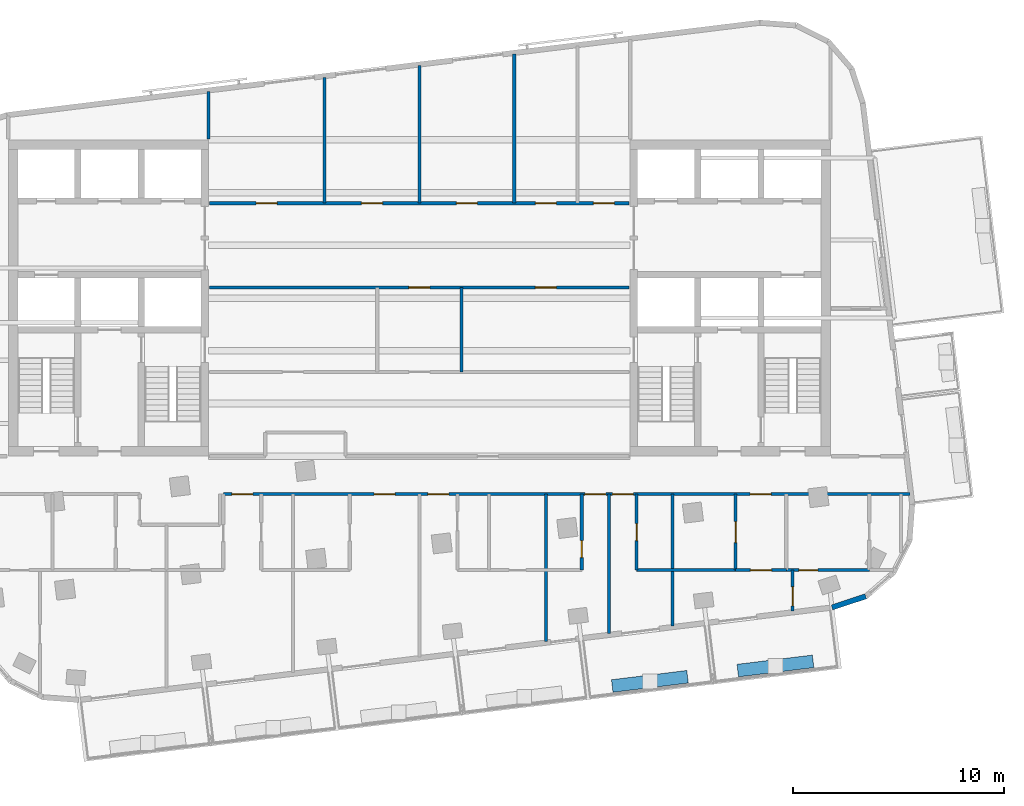
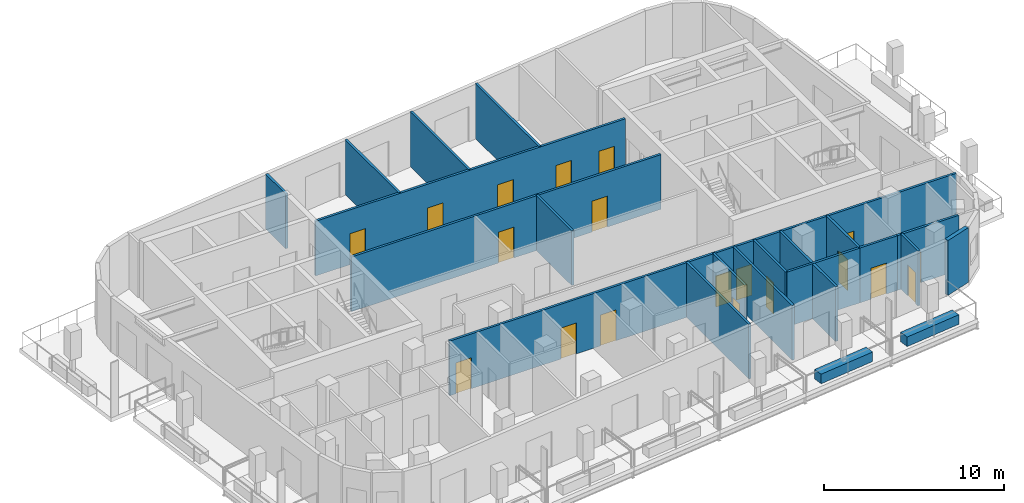
# One storey, part 5 of 11: 21 walls, 19 doors, 19 openings.
"""IFC4 building model written with IfcOpenShell, lengths in metres."""

from ifc_helpers import new_model, si_unit, direction, frame, frame_2d, origin, place, context, subcontext, project, spatial, rectangle, extrude, material, layer, layer_set, type_object, element, fill, save


model = new_model("IFC4")

# Units and contexts
model_context = context("Model", 3, precision=1e-05, world=origin(), true_north=direction((0.0, 1.0)))
body_context = subcontext(model_context, "Body", "Model", "MODEL_VIEW")
ifc_project = project(units=[si_unit("LENGTHUNIT", "METRE"), si_unit("AREAUNIT", "SQUARE_METRE"), si_unit("VOLUMEUNIT", "CUBIC_METRE"), si_unit("PLANEANGLEUNIT", "RADIAN"), si_unit("MASSUNIT", "GRAM", prefix="KILO")], contexts=[model_context])

# Site, building, storey
site_placement = place(None, origin())
site = spatial("IfcSite", under=ifc_project, at=site_placement, CompositionType="ELEMENT")
building_placement = place(site_placement, origin())
building = spatial("IfcBuilding", under=site, at=building_placement, Name="Torana Hotel and Residences", CompositionType="ELEMENT")
storey_placement = place(building_placement, frame((0.0, 0.0, 322.60009765625)))
storey = spatial("IfcBuildingStorey", under=building, at=storey_placement, Name="L85", CompositionType="ELEMENT", Elevation=322.60009765625)

# Wall
ifc_material_1 = material(Name="Black aluminium composite panel", Category="aluminium")
ifc_layer_1 = layer(ifc_material_1, 0.00390625, Name="Cladding", Category="cladding")
ifc_material_2 = material(Name="Ventilated air cavity")
ifc_layer_2 = layer(ifc_material_2, 0.0400390625, Name="Ventilated cavity", Category="cavity")
ifc_material_3 = material(Name="Mineral wool insulation")
ifc_layer_3 = layer(ifc_material_3, 0.090087890625, Name="Insulation", Category="insulation")
ifc_material_4 = material(Name="Steel S280GD", Category="steel")
ifc_layer_4 = layer(ifc_material_4, 0.092041015625, Name="Steel stud frame", Category="structure")
ifc_material_5 = material(Name="Fire rated plasterboard")
ifc_layer_5 = layer(ifc_material_5, 0.011962890625, Name="Inner board", Category="finish")
ifc_layer_6 = layer(ifc_material_5, 0.011962890625, Name="Second board", Category="finish")
ifc_layer_set_1 = layer_set([ifc_layer_1, ifc_layer_2, ifc_layer_3, ifc_layer_4, ifc_layer_5, ifc_layer_6], Name="EW1 EXTERNAL WALL BLACK METAL CLAD 250")
wall_type_1 = type_object("IfcWallType", Name="EW1 EXTERNAL WALL BLACK METAL CLAD 250", PredefinedType="SOLIDWALL", material=ifc_layer_set_1)
wall_1_placement = place(storey_placement, frame((19.568359375, -22.1748046875, 0.0), z_axis=(0.0, 0.0, 1.0), x_axis=(0.949694735798, 0.313177120489, 0.0)))
element("IfcWall", 1, at=wall_1_placement, inside=storey, type_object=wall_type_1, Name="External wall L85 e0.15", PredefinedType="SOLIDWALL", context=body_context, shape_type="SweptSolid", body=[
    extrude(rectangle(XDim=1.681396484375, YDim=0.25, at=frame_2d((0.8408203125, 0.0))), origin(), (0.0, 0.0, 1.0), 3.719970703125),
])

# Wall, opening, door
ifc_material_6 = material(Name="Gypsum plaster")
ifc_layer_7 = layer(ifc_material_6, 0.014892578125, Name="Plaster", Category="finish")
ifc_material_7 = material(Name="Concrete blockwork", Category="masonry")
ifc_layer_8 = layer(ifc_material_7, 0.1201171875, Name="Blockwork", Category="structure")
ifc_layer_9 = layer(ifc_material_6, 0.014892578125, Name="Plaster", Category="finish")
ifc_layer_set_2 = layer_set([ifc_layer_7, ifc_layer_8, ifc_layer_9], Name="FIRE PARTITION 150 BLOCKWORK")
wall_type_2 = type_object("IfcWallType", Name="FIRE PARTITION 150 BLOCKWORK", PredefinedType="PARTITIONING", material=ifc_layer_set_2)
wall_2_placement = place(storey_placement, frame((15.0, -20.39990234375, 0.0), z_axis=(0.0, 0.0, 1.0), x_axis=(0.0, 1.0, 0.0)))
wall_2 = element("IfcWall", 2, at=wall_2_placement, inside=storey, type_object=wall_type_2, Name="Partition L85", PredefinedType="PARTITIONING", context=body_context, shape_type="SweptSolid", body=[
    extrude(rectangle(XDim=3.599853515625, YDim=0.14990234375, at=frame_2d((1.7998046875, 0.0))), origin(), (0.0, 0.0, 1.0), 3.719970703125),
])
opening_1_placement = place(wall_2_placement, frame((1.300048828125, 0.0, 0.0)))
opening_1 = element("IfcOpeningElement", 3, at=opening_1_placement, cuts=wall_2, Name="Opening L85-48", PredefinedType="OPENING", context=body_context, shape_type="SweptSolid", body=[
    extrude(rectangle(XDim=1.0, YDim=2.10009765625, at=frame_2d((0.5, 1.050048828125))), frame((0.0, 0.0849609375, 0.0), z_axis=(0.0, -1.0, 0.0), x_axis=(1.0, 0.0, 0.0)), (0.0, 0.0, 1.0), 0.169921875),
])
ifc_material_8 = material(Name="Steel S235", Category="steel")
door_type_1 = type_object("IfcDoorType", Name="ENTRY FIRE DOOR D6 1000x2100", OperationType="SINGLE_SWING_LEFT", PredefinedType="DOOR", material=ifc_material_8)
door_1_placement = place(opening_1_placement, origin())
door_1 = element("IfcDoor", 4, at=door_1_placement, inside=storey, type_object=door_type_1, Name="Door L85", OperationType="SINGLE_SWING_RIGHT", OverallHeight=2.10009765625, OverallWidth=1.0, PredefinedType="DOOR", context=body_context, shape_type="SweptSolid", body=[
    extrude(rectangle(XDim=1.0, YDim=2.10009765625, at=frame_2d((0.5, 1.050048828125))), frame((0.0, 0.02490234375, 0.0), z_axis=(0.0, -1.0, 0.0), x_axis=(1.0, 0.0, 0.0)), (0.0, 0.0, 1.0), 0.050048828125),
])
fill(opening_1, door_1)

# Wall
wall_3_placement = place(storey_placement, frame((2.0, -11.0, 0.0), z_axis=(0.0, 0.0, 1.0), x_axis=(0.0, 1.0, 0.0)))
element("IfcWall", 5, at=wall_3_placement, inside=storey, type_object=wall_type_2, Name="Partition L85", PredefinedType="PARTITIONING", context=body_context, shape_type="SweptSolid", body=[
    extrude(rectangle(XDim=4.0, YDim=0.14990234375, at=frame_2d((2.0, 0.0))), origin(), (0.0, 0.0, 1.0), 3.719970703125),
])

# Wall, opening, door
wall_4_placement = place(storey_placement, frame((15.0, -20.39990234375, 0.0), z_axis=(0.0, 0.0, 1.0), x_axis=(1.0, 0.0, 0.0)))
wall_4 = element("IfcWall", 6, at=wall_4_placement, inside=storey, type_object=wall_type_2, Name="Partition L85", PredefinedType="PARTITIONING", context=body_context, shape_type="SweptSolid", body=[
    extrude(rectangle(XDim=2.39990234375, YDim=0.14990234375, at=frame_2d((1.199951171875, 0.0))), origin(), (0.0, 0.0, 1.0), 3.719970703125),
])
opening_2_placement = place(wall_4_placement, frame((0.699951171875, 0.0, 0.0)))
opening_2 = element("IfcOpeningElement", 7, at=opening_2_placement, cuts=wall_4, Name="Opening L85-49", PredefinedType="OPENING", context=body_context, shape_type="SweptSolid", body=[
    extrude(rectangle(XDim=1.0, YDim=2.10009765625, at=frame_2d((0.5, 1.050048828125))), frame((0.0, 0.0849609375, 0.0), z_axis=(0.0, -1.0, 0.0), x_axis=(1.0, 0.0, 0.0)), (0.0, 0.0, 1.0), 0.169921875),
])
door_2_placement = place(opening_2_placement, frame((0.5, 0.0, 0.0), z_axis=(0.0, 0.0, 1.0), x_axis=(-1.0, 0.0, 0.0)))
door_2 = element("IfcDoor", 8, at=door_2_placement, inside=storey, type_object=door_type_1, Name="Door L85", OperationType="SINGLE_SWING_RIGHT", OverallHeight=2.10009765625, OverallWidth=1.0, PredefinedType="DOOR", context=body_context, shape_type="SweptSolid", body=[
    extrude(rectangle(XDim=1.0, YDim=2.10009765625, at=frame_2d((0.0, 1.050048828125))), frame((0.0, -0.02490234375, 0.0), z_axis=(0.0, 1.0, 0.0), x_axis=(-1.0, 0.0, 0.0)), (0.0, 0.0, 1.0), 0.050048828125),
])
fill(opening_2, door_2)

# Wall, openings, doors
wall_5_placement = place(storey_placement, frame((-9.300048828125, -16.800048828125, 0.0), z_axis=(0.0, 0.0, 1.0), x_axis=(1.0, 0.0, 0.0)))
wall_5 = element("IfcWall", 9, at=wall_5_placement, inside=storey, type_object=wall_type_2, Name="Partition L85", PredefinedType="PARTITIONING", context=body_context, shape_type="SweptSolid", body=[
    extrude(rectangle(XDim=32.56103515625, YDim=0.14990234375, at=frame_2d((16.280517578125, 0.0))), origin(), (0.0, 0.0, 1.0), 3.719970703125),
])
opening_3_placement = place(wall_5_placement, frame((0.39990234375, 0.0, 0.0)))
opening_3 = element("IfcOpeningElement", 10, at=opening_3_placement, cuts=wall_5, Name="Opening L85-18", PredefinedType="OPENING", context=body_context, shape_type="SweptSolid", body=[
    extrude(rectangle(XDim=1.0, YDim=2.10009765625, at=frame_2d((0.5, 1.050048828125))), frame((0.0, 0.0849609375, 0.0), z_axis=(0.0, -1.0, 0.0), x_axis=(1.0, 0.0, 0.0)), (0.0, 0.0, 1.0), 0.169921875),
])
opening_4_placement = place(wall_5_placement, frame((7.14990234375, 0.0, 0.0)))
opening_4 = element("IfcOpeningElement", 11, at=opening_4_placement, cuts=wall_5, Name="Opening L85-19", PredefinedType="OPENING", context=body_context, shape_type="SweptSolid", body=[
    extrude(rectangle(XDim=1.0, YDim=2.10009765625, at=frame_2d((0.5, 1.050048828125))), frame((0.0, 0.0849609375, 0.0), z_axis=(0.0, -1.0, 0.0), x_axis=(1.0, 0.0, 0.0)), (0.0, 0.0, 1.0), 0.169921875),
])
opening_5_placement = place(wall_5_placement, frame((9.699951171875, 0.0, 0.0)))
opening_5 = element("IfcOpeningElement", 12, at=opening_5_placement, cuts=wall_5, Name="Opening L85-20", PredefinedType="OPENING", context=body_context, shape_type="SweptSolid", body=[
    extrude(rectangle(XDim=1.0, YDim=2.10009765625, at=frame_2d((0.5, 1.050048828125))), frame((0.0, 0.0849609375, 0.0), z_axis=(0.0, -1.0, 0.0), x_axis=(1.0, 0.0, 0.0)), (0.0, 0.0, 1.0), 0.169921875),
])
opening_6_placement = place(wall_5_placement, frame((17.14892578125, 0.0, 0.0)))
opening_6 = element("IfcOpeningElement", 13, at=opening_6_placement, cuts=wall_5, Name="Opening L85-21", PredefinedType="OPENING", context=body_context, shape_type="SweptSolid", body=[
    extrude(rectangle(XDim=1.0, YDim=2.10009765625, at=frame_2d((0.5, 1.050048828125))), frame((0.0, 0.0849609375, 0.0), z_axis=(0.0, -1.0, 0.0), x_axis=(1.0, 0.0, 0.0)), (0.0, 0.0, 1.0), 0.169921875),
])
opening_7_placement = place(wall_5_placement, frame((18.449951171875, 0.0, 0.0)))
opening_7 = element("IfcOpeningElement", 14, at=opening_7_placement, cuts=wall_5, Name="Opening L85-22", PredefinedType="OPENING", context=body_context, shape_type="SweptSolid", body=[
    extrude(rectangle(XDim=1.0, YDim=2.10009765625, at=frame_2d((0.5, 1.050048828125))), frame((0.0, 0.0849609375, 0.0), z_axis=(0.0, -1.0, 0.0), x_axis=(1.0, 0.0, 0.0)), (0.0, 0.0, 1.0), 0.169921875),
])
opening_8_placement = place(wall_5_placement, frame((24.97998046875, 0.0, 0.0)))
opening_8 = element("IfcOpeningElement", 15, at=opening_8_placement, cuts=wall_5, Name="Opening L85-24", PredefinedType="OPENING", context=body_context, shape_type="SweptSolid", body=[
    extrude(rectangle(XDim=1.0, YDim=2.10009765625, at=frame_2d((0.5, 1.050048828125))), frame((0.0, 0.0849609375, 0.0), z_axis=(0.0, -1.0, 0.0), x_axis=(1.0, 0.0, 0.0)), (0.0, 0.0, 1.0), 0.169921875),
])
door_3_placement = place(opening_3_placement, frame((0.5, 0.0, 0.0), z_axis=(0.0, 0.0, 1.0), x_axis=(-1.0, 0.0, 0.0)))
door_3 = element("IfcDoor", 16, at=door_3_placement, inside=storey, type_object=door_type_1, Name="Door L85", OperationType="SINGLE_SWING_LEFT", OverallHeight=2.10009765625, OverallWidth=1.0, PredefinedType="DOOR", context=body_context, shape_type="SweptSolid", body=[
    extrude(rectangle(XDim=1.0, YDim=2.10009765625, at=frame_2d((0.0, 1.050048828125))), frame((0.0, -0.02490234375, 0.0), z_axis=(0.0, 1.0, 0.0), x_axis=(-1.0, 0.0, 0.0)), (0.0, 0.0, 1.0), 0.050048828125),
])
fill(opening_3, door_3)
door_4_placement = place(opening_4_placement, frame((0.5, 0.0, 0.0), z_axis=(0.0, 0.0, 1.0), x_axis=(-1.0, 0.0, 0.0)))
door_4 = element("IfcDoor", 17, at=door_4_placement, inside=storey, type_object=door_type_1, Name="Door L85", OperationType="SINGLE_SWING_LEFT", OverallHeight=2.10009765625, OverallWidth=1.0, PredefinedType="DOOR", context=body_context, shape_type="SweptSolid", body=[
    extrude(rectangle(XDim=1.0, YDim=2.10009765625, at=frame_2d((0.0, 1.050048828125))), frame((0.0, -0.02490234375, 0.0), z_axis=(0.0, 1.0, 0.0), x_axis=(-1.0, 0.0, 0.0)), (0.0, 0.0, 1.0), 0.050048828125),
])
fill(opening_4, door_4)
door_5_placement = place(opening_5_placement, frame((0.5, 0.0, 0.0), z_axis=(0.0, 0.0, 1.0), x_axis=(-1.0, 0.0, 0.0)))
door_5 = element("IfcDoor", 18, at=door_5_placement, inside=storey, type_object=door_type_1, Name="Door L85", OperationType="SINGLE_SWING_LEFT", OverallHeight=2.10009765625, OverallWidth=1.0, PredefinedType="DOOR", context=body_context, shape_type="SweptSolid", body=[
    extrude(rectangle(XDim=1.0, YDim=2.10009765625, at=frame_2d((0.0, 1.050048828125))), frame((0.0, -0.02490234375, 0.0), z_axis=(0.0, 1.0, 0.0), x_axis=(-1.0, 0.0, 0.0)), (0.0, 0.0, 1.0), 0.050048828125),
])
fill(opening_5, door_5)
door_6_placement = place(opening_6_placement, frame((0.5, 0.0, 0.0), z_axis=(0.0, 0.0, 1.0), x_axis=(-1.0, 0.0, 0.0)))
door_6 = element("IfcDoor", 19, at=door_6_placement, inside=storey, type_object=door_type_1, Name="Door L85", OperationType="SINGLE_SWING_LEFT", OverallHeight=2.10009765625, OverallWidth=1.0, PredefinedType="DOOR", context=body_context, shape_type="SweptSolid", body=[
    extrude(rectangle(XDim=1.0, YDim=2.10009765625, at=frame_2d((0.0, 1.050048828125))), frame((0.0, -0.02490234375, 0.0), z_axis=(0.0, 1.0, 0.0), x_axis=(-1.0, 0.0, 0.0)), (0.0, 0.0, 1.0), 0.050048828125),
])
fill(opening_6, door_6)
door_7_placement = place(opening_7_placement, frame((0.5, 0.0, 0.0), z_axis=(0.0, 0.0, 1.0), x_axis=(-1.0, 0.0, 0.0)))
door_7 = element("IfcDoor", 20, at=door_7_placement, inside=storey, type_object=door_type_1, Name="Door L85", OperationType="SINGLE_SWING_LEFT", OverallHeight=2.10009765625, OverallWidth=1.0, PredefinedType="DOOR", context=body_context, shape_type="SweptSolid", body=[
    extrude(rectangle(XDim=1.0, YDim=2.10009765625, at=frame_2d((0.0, 1.050048828125))), frame((0.0, -0.02490234375, 0.0), z_axis=(0.0, 1.0, 0.0), x_axis=(-1.0, 0.0, 0.0)), (0.0, 0.0, 1.0), 0.050048828125),
])
fill(opening_7, door_7)
door_8_placement = place(opening_8_placement, origin())
door_8 = element("IfcDoor", 21, at=door_8_placement, inside=storey, type_object=door_type_1, Name="Door L85", OperationType="SINGLE_SWING_RIGHT", OverallHeight=2.10009765625, OverallWidth=1.0, PredefinedType="DOOR", context=body_context, shape_type="SweptSolid", body=[
    extrude(rectangle(XDim=1.0, YDim=2.10009765625, at=frame_2d((0.5, 1.050048828125))), frame((0.0, 0.02490234375, 0.0), z_axis=(0.0, -1.0, 0.0), x_axis=(1.0, 0.0, 0.0)), (0.0, 0.0, 1.0), 0.050048828125),
])
fill(opening_8, door_8)

wall_6_placement = place(storey_placement, frame((-9.949951171875, -7.0, 0.0), z_axis=(0.0, 0.0, 1.0), x_axis=(1.0, 0.0, 0.0)))
wall_6 = element("IfcWall", 22, at=wall_6_placement, inside=storey, type_object=wall_type_2, Name="Partition L85", PredefinedType="PARTITIONING", context=body_context, shape_type="SweptSolid", body=[
    extrude(rectangle(XDim=19.89990234375, YDim=0.14990234375, at=frame_2d((9.949951171875, 0.0))), origin(), (0.0, 0.0, 1.0), 3.719970703125),
])
opening_9_placement = place(wall_6_placement, frame((9.449951171875, 0.0, 0.0)))
opening_9 = element("IfcOpeningElement", 23, at=opening_9_placement, cuts=wall_6, Name="Opening L85-29", PredefinedType="OPENING", context=body_context, shape_type="SweptSolid", body=[
    extrude(rectangle(XDim=1.0, YDim=2.10009765625, at=frame_2d((0.5, 1.050048828125))), frame((0.0, 0.0849609375, 0.0), z_axis=(0.0, -1.0, 0.0), x_axis=(1.0, 0.0, 0.0)), (0.0, 0.0, 1.0), 0.169921875),
])
opening_10_placement = place(wall_6_placement, frame((15.449951171875, 0.0, 0.0)))
opening_10 = element("IfcOpeningElement", 24, at=opening_10_placement, cuts=wall_6, Name="Opening L85-30", PredefinedType="OPENING", context=body_context, shape_type="SweptSolid", body=[
    extrude(rectangle(XDim=1.0, YDim=2.10009765625, at=frame_2d((0.5, 1.050048828125))), frame((0.0, 0.0849609375, 0.0), z_axis=(0.0, -1.0, 0.0), x_axis=(1.0, 0.0, 0.0)), (0.0, 0.0, 1.0), 0.169921875),
])
door_9_placement = place(opening_9_placement, origin())
door_9 = element("IfcDoor", 25, at=door_9_placement, inside=storey, type_object=door_type_1, Name="Door L85", OperationType="SINGLE_SWING_RIGHT", OverallHeight=2.10009765625, OverallWidth=1.0, PredefinedType="DOOR", context=body_context, shape_type="SweptSolid", body=[
    extrude(rectangle(XDim=1.0, YDim=2.10009765625, at=frame_2d((0.5, 1.050048828125))), frame((0.0, 0.02490234375, 0.0), z_axis=(0.0, -1.0, 0.0), x_axis=(1.0, 0.0, 0.0)), (0.0, 0.0, 1.0), 0.050048828125),
])
fill(opening_9, door_9)
door_10_placement = place(opening_10_placement, frame((0.5, 0.0, 0.0), z_axis=(0.0, 0.0, 1.0), x_axis=(-1.0, 0.0, 0.0)))
door_10 = element("IfcDoor", 26, at=door_10_placement, inside=storey, type_object=door_type_1, Name="Door L85", OperationType="SINGLE_SWING_LEFT", OverallHeight=2.10009765625, OverallWidth=1.0, PredefinedType="DOOR", context=body_context, shape_type="SweptSolid", body=[
    extrude(rectangle(XDim=1.0, YDim=2.10009765625, at=frame_2d((0.0, 1.050048828125))), frame((0.0, -0.02490234375, 0.0), z_axis=(0.0, 1.0, 0.0), x_axis=(-1.0, 0.0, 0.0)), (0.0, 0.0, 1.0), 0.050048828125),
])
fill(opening_10, door_10)

wall_7_placement = place(storey_placement, frame((-9.949951171875, -3.0, 0.0), z_axis=(0.0, 0.0, 1.0), x_axis=(1.0, 0.0, 0.0)))
wall_7 = element("IfcWall", 27, at=wall_7_placement, inside=storey, type_object=wall_type_2, Name="Partition L85", PredefinedType="PARTITIONING", context=body_context, shape_type="SweptSolid", body=[
    extrude(rectangle(XDim=19.89990234375, YDim=0.14990234375, at=frame_2d((9.949951171875, 0.0))), origin(), (0.0, 0.0, 1.0), 3.719970703125),
])
opening_11_placement = place(wall_7_placement, frame((2.199951171875, 0.0, 0.0)))
opening_11 = element("IfcOpeningElement", 28, at=opening_11_placement, cuts=wall_7, Name="Opening L85-31", PredefinedType="OPENING", context=body_context, shape_type="SweptSolid", body=[
    extrude(rectangle(XDim=1.0, YDim=2.10009765625, at=frame_2d((0.5, 1.050048828125))), frame((0.0, 0.0849609375, 0.0), z_axis=(0.0, -1.0, 0.0), x_axis=(1.0, 0.0, 0.0)), (0.0, 0.0, 1.0), 0.169921875),
])
opening_12_placement = place(wall_7_placement, frame((7.199951171875, 0.0, 0.0)))
opening_12 = element("IfcOpeningElement", 29, at=opening_12_placement, cuts=wall_7, Name="Opening L85-32", PredefinedType="OPENING", context=body_context, shape_type="SweptSolid", body=[
    extrude(rectangle(XDim=1.0, YDim=2.10009765625, at=frame_2d((0.5, 1.050048828125))), frame((0.0, 0.0849609375, 0.0), z_axis=(0.0, -1.0, 0.0), x_axis=(1.0, 0.0, 0.0)), (0.0, 0.0, 1.0), 0.169921875),
])
opening_13_placement = place(wall_7_placement, frame((11.699951171875, 0.0, 0.0)))
opening_13 = element("IfcOpeningElement", 30, at=opening_13_placement, cuts=wall_7, Name="Opening L85-33", PredefinedType="OPENING", context=body_context, shape_type="SweptSolid", body=[
    extrude(rectangle(XDim=1.0, YDim=2.10009765625, at=frame_2d((0.5, 1.050048828125))), frame((0.0, 0.0849609375, 0.0), z_axis=(0.0, -1.0, 0.0), x_axis=(1.0, 0.0, 0.0)), (0.0, 0.0, 1.0), 0.169921875),
])
opening_14_placement = place(wall_7_placement, frame((15.449951171875, 0.0, 0.0)))
opening_14 = element("IfcOpeningElement", 31, at=opening_14_placement, cuts=wall_7, Name="Opening L85-34", PredefinedType="OPENING", context=body_context, shape_type="SweptSolid", body=[
    extrude(rectangle(XDim=1.0, YDim=2.10009765625, at=frame_2d((0.5, 1.050048828125))), frame((0.0, 0.0849609375, 0.0), z_axis=(0.0, -1.0, 0.0), x_axis=(1.0, 0.0, 0.0)), (0.0, 0.0, 1.0), 0.169921875),
])
opening_15_placement = place(wall_7_placement, frame((18.199951171875, 0.0, 0.0)))
opening_15 = element("IfcOpeningElement", 32, at=opening_15_placement, cuts=wall_7, Name="Opening L85-35", PredefinedType="OPENING", context=body_context, shape_type="SweptSolid", body=[
    extrude(rectangle(XDim=1.0, YDim=2.10009765625, at=frame_2d((0.5, 1.050048828125))), frame((0.0, 0.0849609375, 0.0), z_axis=(0.0, -1.0, 0.0), x_axis=(1.0, 0.0, 0.0)), (0.0, 0.0, 1.0), 0.169921875),
])
door_11_placement = place(opening_11_placement, origin())
door_11 = element("IfcDoor", 33, at=door_11_placement, inside=storey, type_object=door_type_1, Name="Door L85", OperationType="SINGLE_SWING_RIGHT", OverallHeight=2.10009765625, OverallWidth=1.0, PredefinedType="DOOR", context=body_context, shape_type="SweptSolid", body=[
    extrude(rectangle(XDim=1.0, YDim=2.10009765625, at=frame_2d((0.5, 1.050048828125))), frame((0.0, 0.02490234375, 0.0), z_axis=(0.0, -1.0, 0.0), x_axis=(1.0, 0.0, 0.0)), (0.0, 0.0, 1.0), 0.050048828125),
])
fill(opening_11, door_11)
door_12_placement = place(opening_12_placement, origin())
door_12 = element("IfcDoor", 34, at=door_12_placement, inside=storey, type_object=door_type_1, Name="Door L85", OperationType="SINGLE_SWING_RIGHT", OverallHeight=2.10009765625, OverallWidth=1.0, PredefinedType="DOOR", context=body_context, shape_type="SweptSolid", body=[
    extrude(rectangle(XDim=1.0, YDim=2.10009765625, at=frame_2d((0.5, 1.050048828125))), frame((0.0, 0.02490234375, 0.0), z_axis=(0.0, -1.0, 0.0), x_axis=(1.0, 0.0, 0.0)), (0.0, 0.0, 1.0), 0.050048828125),
])
fill(opening_12, door_12)
door_13_placement = place(opening_13_placement, origin())
door_13 = element("IfcDoor", 35, at=door_13_placement, inside=storey, type_object=door_type_1, Name="Door L85", OperationType="SINGLE_SWING_RIGHT", OverallHeight=2.10009765625, OverallWidth=1.0, PredefinedType="DOOR", context=body_context, shape_type="SweptSolid", body=[
    extrude(rectangle(XDim=1.0, YDim=2.10009765625, at=frame_2d((0.5, 1.050048828125))), frame((0.0, 0.02490234375, 0.0), z_axis=(0.0, -1.0, 0.0), x_axis=(1.0, 0.0, 0.0)), (0.0, 0.0, 1.0), 0.050048828125),
])
fill(opening_13, door_13)
door_14_placement = place(opening_14_placement, origin())
door_14 = element("IfcDoor", 36, at=door_14_placement, inside=storey, type_object=door_type_1, Name="Door L85", OperationType="SINGLE_SWING_RIGHT", OverallHeight=2.10009765625, OverallWidth=1.0, PredefinedType="DOOR", context=body_context, shape_type="SweptSolid", body=[
    extrude(rectangle(XDim=1.0, YDim=2.10009765625, at=frame_2d((0.5, 1.050048828125))), frame((0.0, 0.02490234375, 0.0), z_axis=(0.0, -1.0, 0.0), x_axis=(1.0, 0.0, 0.0)), (0.0, 0.0, 1.0), 0.050048828125),
])
fill(opening_14, door_14)
door_15_placement = place(opening_15_placement, origin())
door_15 = element("IfcDoor", 37, at=door_15_placement, inside=storey, type_object=door_type_1, Name="Door L85", OperationType="SINGLE_SWING_RIGHT", OverallHeight=2.10009765625, OverallWidth=1.0, PredefinedType="DOOR", context=body_context, shape_type="SweptSolid", body=[
    extrude(rectangle(XDim=1.0, YDim=2.10009765625, at=frame_2d((0.5, 1.050048828125))), frame((0.0, 0.02490234375, 0.0), z_axis=(0.0, -1.0, 0.0), x_axis=(1.0, 0.0, 0.0)), (0.0, 0.0, 1.0), 0.050048828125),
])
fill(opening_15, door_15)

# Wall, opening, door
ifc_material_9 = material(Name="Gypsum plasterboard")
ifc_layer_10 = layer(ifc_material_9, 0.012451171875, Name="Plasterboard", Category="finish")
ifc_layer_11 = layer(ifc_material_9, 0.012451171875, Name="Plasterboard", Category="finish")
ifc_layer_12 = layer(ifc_material_4, 0.10009765625, Name="Steel studs with mineral wool", Category="insulation")
ifc_layer_13 = layer(ifc_material_9, 0.012451171875, Name="Plasterboard", Category="finish")
ifc_layer_14 = layer(ifc_material_9, 0.012451171875, Name="Plasterboard", Category="finish")
ifc_layer_set_3 = layer_set([ifc_layer_10, ifc_layer_11, ifc_layer_12, ifc_layer_13, ifc_layer_14], Name="PARTITION 150 PLASTERBOARD")
wall_type_3 = type_object("IfcWallType", Name="PARTITION 150 PLASTERBOARD", PredefinedType="PARTITIONING", material=ifc_layer_set_3)
wall_8_placement = place(storey_placement, frame((17.699951171875, -22.351318359375, 0.0), z_axis=(0.0, 0.0, 1.0), x_axis=(0.0, 1.0, 0.0)))
wall_8 = element("IfcWall", 38, at=wall_8_placement, inside=storey, type_object=wall_type_3, Name="Partition L85", PredefinedType="PARTITIONING", context=body_context, shape_type="SweptSolid", body=[
    extrude(rectangle(XDim=1.951416015625, YDim=0.14990234375, at=frame_2d((0.9755859375, 0.0))), origin(), (0.0, 0.0, 1.0), 3.719970703125),
])
opening_16_placement = place(wall_8_placement, frame((0.25, 0.0, 0.0)))
opening_16 = element("IfcOpeningElement", 39, at=opening_16_placement, cuts=wall_8, Name="Opening L85-52", PredefinedType="OPENING", context=body_context, shape_type="SweptSolid", body=[
    extrude(rectangle(XDim=0.89990234375, YDim=2.10009765625, at=frame_2d((0.449951171875, 1.050048828125))), frame((0.0, 0.0849609375, 0.0), z_axis=(0.0, -1.0, 0.0), x_axis=(1.0, 0.0, 0.0)), (0.0, 0.0, 1.0), 0.169921875),
])
ifc_material_10 = material(Name="Timber door, oiled ash", Category="wood")
door_type_2 = type_object("IfcDoorType", Name="ROOM DOOR D7 900x2100", OperationType="SINGLE_SWING_LEFT", PredefinedType="DOOR", material=ifc_material_10)
door_16_placement = place(opening_16_placement, origin())
door_16 = element("IfcDoor", 40, at=door_16_placement, inside=storey, type_object=door_type_2, Name="Door L85", OperationType="SINGLE_SWING_RIGHT", OverallHeight=2.10009765625, OverallWidth=0.89990234375, PredefinedType="DOOR", context=body_context, shape_type="SweptSolid", body=[
    extrude(rectangle(XDim=0.89990234375, YDim=2.10009765625, at=frame_2d((0.449951171875, 1.050048828125))), frame((0.0, 0.02490234375, 0.0), z_axis=(0.0, -1.0, 0.0), x_axis=(1.0, 0.0, 0.0)), (0.0, 0.0, 1.0), 0.050048828125),
])
fill(opening_16, door_16)

# Wall
wall_9_placement = place(storey_placement, frame((12.0, -23.051025390625, 0.0), z_axis=(0.0, 0.0, 1.0), x_axis=(0.0, 1.0, 0.0)))
element("IfcWall", 41, at=wall_9_placement, inside=storey, type_object=wall_type_3, Name="Partition L85", PredefinedType="PARTITIONING", context=body_context, shape_type="SweptSolid", body=[
    extrude(rectangle(XDim=6.2509765625, YDim=0.14990234375, at=frame_2d((3.12548828125, 0.0))), origin(), (0.0, 0.0, 1.0), 3.719970703125),
])

# Wall, opening, door
wall_10_placement = place(storey_placement, frame((10.300048828125, -20.39990234375, 0.0), z_axis=(0.0, 0.0, 1.0), x_axis=(0.0, 1.0, 0.0)))
wall_10 = element("IfcWall", 42, at=wall_10_placement, inside=storey, type_object=wall_type_3, Name="Partition L85", PredefinedType="PARTITIONING", context=body_context, shape_type="SweptSolid", body=[
    extrude(rectangle(XDim=3.599853515625, YDim=0.14990234375, at=frame_2d((1.7998046875, 0.0))), origin(), (0.0, 0.0, 1.0), 3.719970703125),
])
opening_17_placement = place(wall_10_placement, frame((1.39990234375, 0.0, 0.0)))
opening_17 = element("IfcOpeningElement", 43, at=opening_17_placement, cuts=wall_10, Name="Opening L85-42", PredefinedType="OPENING", context=body_context, shape_type="SweptSolid", body=[
    extrude(rectangle(XDim=0.800048828125, YDim=2.10009765625, at=frame_2d((0.39990234375, 1.050048828125))), frame((0.0, 0.0849609375, 0.0), z_axis=(0.0, -1.0, 0.0), x_axis=(1.0, 0.0, 0.0)), (0.0, 0.0, 1.0), 0.169921875),
])
ifc_material_11 = material(Name="Timber door, painted", Category="wood")
door_type_3 = type_object("IfcDoorType", Name="BATH DOOR D13 800x2100", OperationType="SINGLE_SWING_LEFT", PredefinedType="DOOR", material=ifc_material_11)
door_17_placement = place(opening_17_placement, origin())
door_17 = element("IfcDoor", 44, at=door_17_placement, inside=storey, type_object=door_type_3, Name="Door L85", OperationType="SINGLE_SWING_LEFT", OverallHeight=2.10009765625, OverallWidth=0.800048828125, PredefinedType="DOOR", context=body_context, shape_type="SweptSolid", body=[
    extrude(rectangle(XDim=0.800048828125, YDim=2.10009765625, at=frame_2d((0.39990234375, 1.050048828125))), frame((0.0, 0.02490234375, 0.0), z_axis=(0.0, -1.0, 0.0), x_axis=(1.0, 0.0, 0.0)), (0.0, 0.0, 1.0), 0.050048828125),
])
fill(opening_17, door_17)

# Wall
wall_11_placement = place(storey_placement, frame((9.0, -23.41943359375, 0.0), z_axis=(0.0, 0.0, 1.0), x_axis=(0.0, 1.0, 0.0)))
element("IfcWall", 45, at=wall_11_placement, inside=storey, type_object=wall_type_3, Name="Partition L85", PredefinedType="PARTITIONING", context=body_context, shape_type="SweptSolid", body=[
    extrude(rectangle(XDim=6.619384765625, YDim=0.14990234375, at=frame_2d((3.3095703125, 0.0))), origin(), (0.0, 0.0, 1.0), 3.719970703125),
])

# Wall, opening, door
wall_12_placement = place(storey_placement, frame((7.699951171875, -20.39990234375, 0.0), z_axis=(0.0, 0.0, 1.0), x_axis=(0.0, 1.0, 0.0)))
wall_12 = element("IfcWall", 46, at=wall_12_placement, inside=storey, type_object=wall_type_3, Name="Partition L85", PredefinedType="PARTITIONING", context=body_context, shape_type="SweptSolid", body=[
    extrude(rectangle(XDim=3.599853515625, YDim=0.14990234375, at=frame_2d((1.7998046875, 0.0))), origin(), (0.0, 0.0, 1.0), 3.719970703125),
])
opening_18_placement = place(wall_12_placement, frame((0.594482421875, 0.0, 0.0)))
opening_18 = element("IfcOpeningElement", 47, at=opening_18_placement, cuts=wall_12, Name="Opening L85-41", PredefinedType="OPENING", context=body_context, shape_type="SweptSolid", body=[
    extrude(rectangle(XDim=0.800048828125, YDim=2.10009765625, at=frame_2d((0.39990234375, 1.050048828125))), frame((0.0, 0.0849609375, 0.0), z_axis=(0.0, -1.0, 0.0), x_axis=(1.0, 0.0, 0.0)), (0.0, 0.0, 1.0), 0.169921875),
])
door_18_placement = place(opening_18_placement, origin())
door_18 = element("IfcDoor", 48, at=door_18_placement, inside=storey, type_object=door_type_3, Name="Door L85", OperationType="SINGLE_SWING_LEFT", OverallHeight=2.10009765625, OverallWidth=0.800048828125, PredefinedType="DOOR", context=body_context, shape_type="SweptSolid", body=[
    extrude(rectangle(XDim=0.800048828125, YDim=2.10009765625, at=frame_2d((0.39990234375, 1.050048828125))), frame((0.0, 0.02490234375, 0.0), z_axis=(0.0, -1.0, 0.0), x_axis=(1.0, 0.0, 0.0)), (0.0, 0.0, 1.0), 0.050048828125),
])
fill(opening_18, door_18)

# Walls
wall_13_placement = place(storey_placement, frame((6.0, -23.787841796875, 0.0), z_axis=(0.0, 0.0, 1.0), x_axis=(0.0, 1.0, 0.0)))
element("IfcWall", 49, at=wall_13_placement, inside=storey, type_object=wall_type_3, Name="Partition L85", PredefinedType="PARTITIONING", context=body_context, shape_type="SweptSolid", body=[
    extrude(rectangle(XDim=6.98779296875, YDim=0.14990234375, at=frame_2d((3.493896484375, 0.0))), origin(), (0.0, 0.0, 1.0), 3.719970703125),
])
wall_14_placement = place(storey_placement, frame((0.0, -3.0, 0.0), z_axis=(0.0, 0.0, 1.0), x_axis=(0.0, 1.0, 0.0)))
element("IfcWall", 50, at=wall_14_placement, inside=storey, type_object=wall_type_3, Name="Partition L85", PredefinedType="PARTITIONING", context=body_context, shape_type="SweptSolid", body=[
    extrude(rectangle(XDim=6.5244140625, YDim=0.14990234375, at=frame_2d((3.26220703125, 0.0))), origin(), (0.0, 0.0, 1.0), 3.719970703125),
])
wall_15_placement = place(storey_placement, frame((-4.5, -3.0, 0.0), z_axis=(0.0, 0.0, 1.0), x_axis=(0.0, 1.0, 0.0)))
element("IfcWall", 51, at=wall_15_placement, inside=storey, type_object=wall_type_3, Name="Partition L85", PredefinedType="PARTITIONING", context=body_context, shape_type="SweptSolid", body=[
    extrude(rectangle(XDim=5.971923828125, YDim=0.14990234375, at=frame_2d((2.98583984375, 0.0))), origin(), (0.0, 0.0, 1.0), 3.719970703125),
])
wall_16_placement = place(storey_placement, frame((-10.0, 0.050048828125, 0.0), z_axis=(0.0, 0.0, 1.0), x_axis=(0.0, 1.0, 0.0)))
element("IfcWall", 52, at=wall_16_placement, inside=storey, type_object=wall_type_3, Name="Partition L85", PredefinedType="PARTITIONING", context=body_context, shape_type="SweptSolid", body=[
    extrude(rectangle(XDim=2.24658203125, YDim=0.14990234375, at=frame_2d((1.123291015625, 0.0))), origin(), (0.0, 0.0, 1.0), 3.719970703125),
])
wall_17_placement = place(storey_placement, frame((10.300048828125, -20.39990234375, 0.0), z_axis=(0.0, 0.0, 1.0), x_axis=(1.0, 0.0, 0.0)))
element("IfcWall", 53, at=wall_17_placement, inside=storey, type_object=wall_type_3, Name="Partition L85", PredefinedType="PARTITIONING", context=body_context, shape_type="SweptSolid", body=[
    extrude(rectangle(XDim=4.699951171875, YDim=0.14990234375, at=frame_2d((2.35009765625, 0.0))), origin(), (0.0, 0.0, 1.0), 3.719970703125),
])

# Wall, opening, door
wall_18_placement = place(storey_placement, frame((17.39990234375, -20.39990234375, 0.0), z_axis=(0.0, 0.0, 1.0), x_axis=(1.0, 0.0, 0.0)))
wall_18 = element("IfcWall", 54, at=wall_18_placement, inside=storey, type_object=wall_type_3, Name="Partition L85", PredefinedType="PARTITIONING", context=body_context, shape_type="SweptSolid", body=[
    extrude(rectangle(XDim=3.93603515625, YDim=0.14990234375, at=frame_2d((1.968017578125, 0.0))), origin(), (0.0, 0.0, 1.0), 3.719970703125),
])
opening_19_placement = place(wall_18_placement, frame((0.60009765625, 0.0, 0.0)))
opening_19 = element("IfcOpeningElement", 55, at=opening_19_placement, cuts=wall_18, Name="Opening L85-50", PredefinedType="OPENING", context=body_context, shape_type="SweptSolid", body=[
    extrude(rectangle(XDim=0.89990234375, YDim=2.10009765625, at=frame_2d((0.449951171875, 1.050048828125))), frame((0.0, 0.0849609375, 0.0), z_axis=(0.0, -1.0, 0.0), x_axis=(1.0, 0.0, 0.0)), (0.0, 0.0, 1.0), 0.169921875),
])
door_19_placement = place(opening_19_placement, origin())
door_19 = element("IfcDoor", 56, at=door_19_placement, inside=storey, type_object=door_type_2, Name="Door L85", OperationType="SINGLE_SWING_RIGHT", OverallHeight=2.10009765625, OverallWidth=0.89990234375, PredefinedType="DOOR", context=body_context, shape_type="SweptSolid", body=[
    extrude(rectangle(XDim=0.89990234375, YDim=2.10009765625, at=frame_2d((0.449951171875, 1.050048828125))), frame((0.0, 0.02490234375, 0.0), z_axis=(0.0, -1.0, 0.0), x_axis=(1.0, 0.0, 0.0)), (0.0, 0.0, 1.0), 0.050048828125),
])
fill(opening_19, door_19)

# Walls
ifc_material_12 = material(Name="Concrete C40/50 precast", Category="concrete")
ifc_layer_15 = layer(ifc_material_12, 0.10009765625, Name="Planter shell", Category="structure")
ifc_material_13 = material(Name="Root resistant membrane")
ifc_layer_16 = layer(ifc_material_13, 0.00390625, Name="Waterproofing membrane", Category="membrane")
ifc_material_14 = material(Name="Drainage board with filter fleece")
ifc_layer_17 = layer(ifc_material_14, 0.02001953125, Name="Drainage board", Category="drainage")
ifc_material_15 = material(Name="Growing medium")
ifc_layer_18 = layer(ifc_material_15, 0.47607421875, Name="Planting substrate", Category="soil")
ifc_layer_set_4 = layer_set([ifc_layer_15, ifc_layer_16, ifc_layer_17, ifc_layer_18], Name="PL1 BALCONY PLANTER 600")
wall_type_4 = type_object("IfcWallType", Name="PL1 BALCONY PLANTER 600", PredefinedType="USERDEFINED", material=ifc_layer_set_4)
for number, where, z_axis, x_axis, name in (
    (57, (12.718017578125, -25.461669921875, 0.0), (0.0, 0.0, 1.0), (-0.992545758265, -0.121872547154, 0.0), "Planter 05"),
    (58, (18.67333984375, -24.73046875, 0.0), (0.0, 0.0, 1.0), (-0.992545758265, -0.121872547154, 0.0), "Planter 06"),
):
    element("IfcWall", number, at=place(storey_placement, frame(where, z_axis=z_axis, x_axis=x_axis)), inside=storey, type_object=wall_type_4, Name=name, ObjectType="PLANTER", PredefinedType="USERDEFINED", context=body_context, shape_type="SweptSolid", body=[
        extrude(rectangle(XDim=3.599853515625, YDim=0.60009765625, at=frame_2d((1.7998046875, 0.0))), origin(), (0.0, 0.0, 1.0), 0.64990234375),
    ])
ifc_material_16 = material(Name="Ceramic tile on adhesive")
ifc_layer_19 = layer(ifc_material_16, 0.010009765625, Name="Wall tile", Category="finish")
ifc_material_17 = material(Name="Cement render")
ifc_layer_20 = layer(ifc_material_17, 0.010009765625, Name="Render", Category="finish")
ifc_layer_21 = layer(ifc_material_7, 0.110107421875, Name="Blockwork", Category="structure")
ifc_layer_22 = layer(ifc_material_17, 0.010009765625, Name="Render", Category="finish")
ifc_layer_23 = layer(ifc_material_16, 0.010009765625, Name="Wall tile", Category="finish")
ifc_layer_set_5 = layer_set([ifc_layer_19, ifc_layer_20, ifc_layer_21, ifc_layer_22, ifc_layer_23], Name="WC PARTITION 150")
wall_type_5 = type_object("IfcWallType", Name="WC PARTITION 150", PredefinedType="PLUMBINGWALL", material=ifc_layer_set_5)
wall_19_placement = place(storey_placement, frame((4.5, -3.0, 0.0), z_axis=(0.0, 0.0, 1.0), x_axis=(0.0, 1.0, 0.0)))
element("IfcWall", 59, at=wall_19_placement, inside=storey, type_object=wall_type_5, Name="Partition L85", PredefinedType="PLUMBINGWALL", context=body_context, shape_type="SweptSolid", body=[
    extrude(rectangle(XDim=7.076904296875, YDim=0.14990234375, at=frame_2d((3.53857421875, 0.0))), origin(), (0.0, 0.0, 1.0), 3.719970703125),
])

save(model, "model.ifc")
